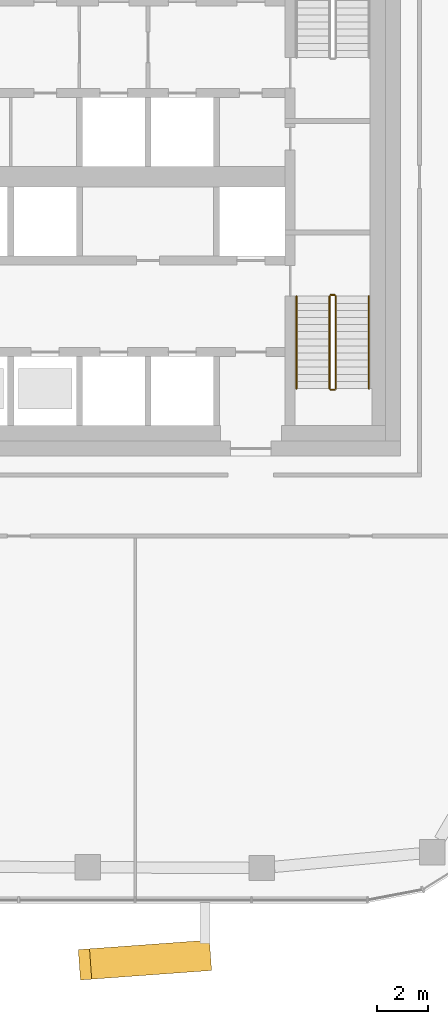
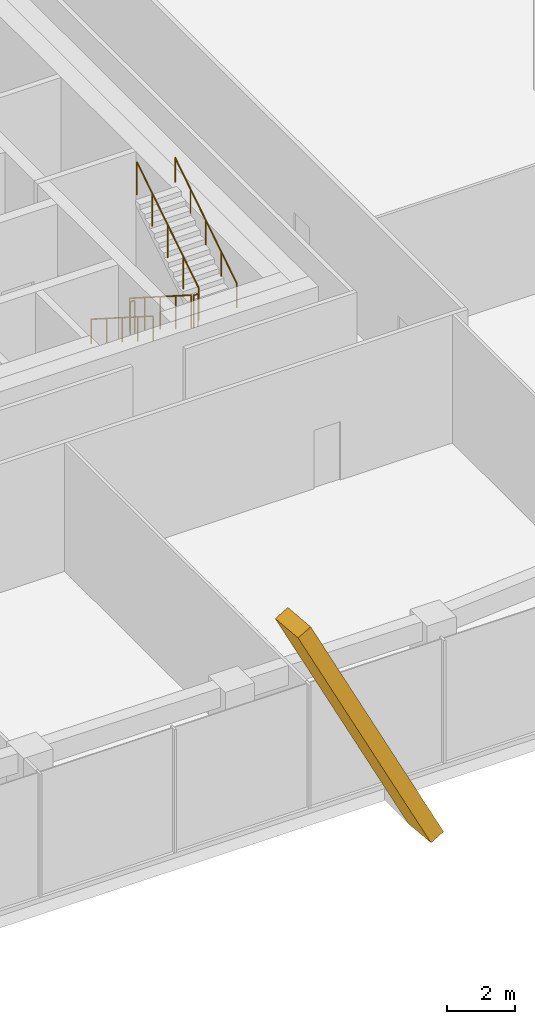
# One storey, part 15 of 20: 6 railings, 1 covering, 1 element without a shape of its own.
"""IFC4 building model written with IfcOpenShell, lengths in metres."""

from ifc_helpers import new_model, si_unit, direction, frame, origin, origin_2d, place, context, subcontext, project, spatial, rectangle, circle, extrude, material, layer, layer_set, material_profile, profile_set, type_object, element, aggregate, save


model = new_model("IFC4")

# Units and contexts
model_context = context("Model", 3, precision=1e-05, world=origin(), true_north=direction((0.0, 1.0)))
body_context = subcontext(model_context, "Body", "Model", "MODEL_VIEW")
ifc_project = project(units=[si_unit("LENGTHUNIT", "METRE"), si_unit("AREAUNIT", "SQUARE_METRE"), si_unit("VOLUMEUNIT", "CUBIC_METRE"), si_unit("PLANEANGLEUNIT", "RADIAN"), si_unit("MASSUNIT", "GRAM", prefix="KILO")], contexts=[model_context])

# Site, building, storey
site_placement = place(None, origin())
site = spatial("IfcSite", under=ifc_project, at=site_placement, CompositionType="ELEMENT")
building_placement = place(site_placement, origin())
building = spatial("IfcBuilding", under=site, at=building_placement, Name="Dongbaek Canopy Tower", CompositionType="ELEMENT")
storey_placement = place(building_placement, frame((0.0, 0.0, 289.199951171875)))
storey = spatial("IfcBuildingStorey", under=building, at=storey_placement, Name="L61", CompositionType="ELEMENT", Elevation=289.199951171875)

# Curtain wall, covering
ifc_material_1 = material(Name="Aluminium 6063-T6 pale anodised", Category="aluminium")
ifc_layer = layer(ifc_material_1, 0.25)
ifc_layer_set = layer_set([ifc_layer], Name="CW-4 sky-lobby curtain wall")
curtain_wall_type = type_object("IfcCurtainWallType", Name="CW-4 sky-lobby curtain wall", PredefinedType="NOTDEFINED", material=ifc_layer_set)
curtain_wall_placement = place(storey_placement, origin())
curtain_wall = element("IfcCurtainWall", 1, at=curtain_wall_placement, inside=storey, type_object=curtain_wall_type, Name="CW-4 curtain wall F4.1", PredefinedType="NOTDEFINED")
ifc_material_2 = material(Name="Aluminium 6063-T6 pale metal fin", Category="aluminium")
ifc_material_profile = material_profile(ifc_material_2, rectangle(XDim=1.199951171875, YDim=0.5, at=origin_2d()), Name="Crease fin CF1 500 x 1200 pale metal")
ifc_profile_set = profile_set([ifc_material_profile], Name="Aluminium 6063-T6 pale metal fin")
covering_type = type_object("IfcCoveringType", Name="Crease fin CF1 500 x 1200 pale metal", PredefinedType="CLADDING", material=ifc_profile_set)
covering_placement = place(storey_placement, frame((6.29052734375, -30.680908203125, -0.224853515625), z_axis=(-0.455099831362, -0.033028024565, 0.889827676063), x_axis=(0.072382777052, -0.997376926536, 0.0)))
covering = element("IfcCovering", 2, at=covering_placement, type_object=covering_type, Name="Crease fin L61 L63 F4", PredefinedType="CLADDING", context=body_context, shape_type="SweptSolid", body=[
    extrude(rectangle(XDim=1.199951171875, YDim=0.5, at=origin_2d()), origin(), (0.0, 0.0, 1.0), 10.378173828125),
])
aggregate(curtain_wall, [covering])

# Railings
ifc_material_3 = material(Name="Stainless steel tube and balusters", Category="steel")
railing_type_1 = type_object("IfcRailingType", Name="Stair guard 1200", PredefinedType="GUARDRAIL", material=ifc_material_3)
railing_1_placement = place(storey_placement, frame((11.199951171875, -4.699951171875, 0.1787109375)))
element("IfcRailing", 3, at=railing_1_placement, inside=storey, type_object=railing_type_1, Name="L61 ST-B stair guard 1", PredefinedType="GUARDRAIL", context=body_context, shape_type="SweptSolid", body=[
    extrude(circle(Radius=0.02392578125, at=origin_2d()), frame((0.0, 0.0, 1.17578125), z_axis=(0.0, -0.843153495434, 0.537672933239), x_axis=(1.0, 0.0, 0.0)), (0.0, 0.0, 1.0), 4.3173828125),
    extrude(circle(Radius=0.02099609375, at=origin_2d()), origin(), (0.0, 0.0, 1.0), 1.15185546875),
    extrude(circle(Radius=0.02099609375, at=origin_2d()), frame((0.0, -0.91015625, 0.580322265625)), (0.0, 0.0, 1.0), 1.15185546875),
    extrude(circle(Radius=0.02099609375, at=origin_2d()), frame((0.0, -1.820068359375, 1.16064453125)), (0.0, 0.0, 1.0), 1.15185546875),
    extrude(circle(Radius=0.02099609375, at=origin_2d()), frame((0.0, -2.72998046875, 1.740966796875)), (0.0, 0.0, 1.0), 1.15185546875),
    extrude(circle(Radius=0.02099609375, at=origin_2d()), frame((0.0, -3.64013671875, 2.3212890625)), (0.0, 0.0, 1.0), 1.15185546875),
])
railing_2_placement = place(storey_placement, frame((11.25, -8.389892578125, 2.5)))
element("IfcRailing", 4, at=railing_2_placement, inside=storey, type_object=railing_type_1, Name="L61 ST-B stair guard 2", PredefinedType="GUARDRAIL", context=body_context, shape_type="SweptSolid", body=[
    extrude(circle(Radius=0.02392578125, at=origin_2d()), frame((0.0, 0.0, 1.17578125), z_axis=(1.0, 0.0, 0.0), x_axis=(0.0, 1.0, 0.0)), (0.0, 0.0, 1.0), 0.14990234375),
    extrude(circle(Radius=0.02099609375, at=origin_2d()), origin(), (0.0, 0.0, 1.0), 1.15185546875),
    extrude(circle(Radius=0.02099609375, at=origin_2d()), frame((0.14990234375, 0.0, 0.0)), (0.0, 0.0, 1.0), 1.15185546875),
])
railing_3_placement = place(storey_placement, frame((11.449951171875, -8.340087890625, 2.6787109375)))
element("IfcRailing", 5, at=railing_3_placement, inside=storey, type_object=railing_type_1, Name="L61 ST-B stair guard 3", PredefinedType="GUARDRAIL", context=body_context, shape_type="SweptSolid", body=[
    extrude(circle(Radius=0.02392578125, at=origin_2d()), frame((0.0, 0.0, 1.17578125), z_axis=(0.0, 0.843153495434, 0.537672933239), x_axis=(-1.0, 0.0, 0.0)), (0.0, 0.0, 1.0), 4.3173828125),
    extrude(circle(Radius=0.02099609375, at=origin_2d()), origin(), (0.0, 0.0, 1.0), 1.15185546875),
    extrude(circle(Radius=0.02099609375, at=origin_2d()), frame((0.0, 0.91015625, 0.580322265625)), (0.0, 0.0, 1.0), 1.15185546875),
    extrude(circle(Radius=0.02099609375, at=origin_2d()), frame((0.0, 1.820068359375, 1.16064453125)), (0.0, 0.0, 1.0), 1.15185546875),
    extrude(circle(Radius=0.02099609375, at=origin_2d()), frame((0.0, 2.72998046875, 1.740966796875)), (0.0, 0.0, 1.0), 1.15185546875),
    extrude(circle(Radius=0.02099609375, at=origin_2d()), frame((0.0, 3.64013671875, 2.3212890625)), (0.0, 0.0, 1.0), 1.15185546875),
])
railing_4_placement = place(storey_placement, frame((11.25, -4.64990234375, 0.0)))
element("IfcRailing", 6, at=railing_4_placement, inside=storey, type_object=railing_type_1, Name="L61 ST-B stair guard 4", PredefinedType="GUARDRAIL", context=body_context, shape_type="SweptSolid", body=[
    extrude(circle(Radius=0.02392578125, at=origin_2d()), frame((0.0, 0.0, 1.17578125), z_axis=(1.0, 0.0, 0.0), x_axis=(0.0, 1.0, 0.0)), (0.0, 0.0, 1.0), 0.14990234375),
    extrude(circle(Radius=0.02099609375, at=origin_2d()), origin(), (0.0, 0.0, 1.0), 1.15185546875),
    extrude(circle(Radius=0.02099609375, at=origin_2d()), frame((0.14990234375, 0.0, 0.0)), (0.0, 0.0, 1.0), 1.15185546875),
])
ifc_material_4 = material(Name="Stainless steel tube", Category="steel")
railing_type_2 = type_object("IfcRailingType", Name="Stair handrail 900", PredefinedType="HANDRAIL", material=ifc_material_4)
railing_5_placement = place(storey_placement, frame((9.89990234375, -4.699951171875, 0.1787109375)))
element("IfcRailing", 7, at=railing_5_placement, inside=storey, type_object=railing_type_2, Name="L61 ST-B stair handrail 1", PredefinedType="HANDRAIL", context=body_context, shape_type="SweptSolid", body=[
    extrude(circle(Radius=0.02392578125, at=origin_2d()), frame((0.0, 0.0, 0.8759765625), z_axis=(0.0, -0.843153495434, 0.537672933239), x_axis=(1.0, 0.0, 0.0)), (0.0, 0.0, 1.0), 4.3173828125),
    extrude(circle(Radius=0.02099609375, at=origin_2d()), origin(), (0.0, 0.0, 1.0), 0.851806640625),
    extrude(circle(Radius=0.02099609375, at=origin_2d()), frame((0.0, -0.91015625, 0.580322265625)), (0.0, 0.0, 1.0), 0.851806640625),
    extrude(circle(Radius=0.02099609375, at=origin_2d()), frame((0.0, -1.820068359375, 1.16064453125)), (0.0, 0.0, 1.0), 0.851806640625),
    extrude(circle(Radius=0.02099609375, at=origin_2d()), frame((0.0, -2.72998046875, 1.740966796875)), (0.0, 0.0, 1.0), 0.851806640625),
    extrude(circle(Radius=0.02099609375, at=origin_2d()), frame((0.0, -3.64013671875, 2.3212890625)), (0.0, 0.0, 1.0), 0.851806640625),
])
railing_6_placement = place(storey_placement, frame((12.75, -8.340087890625, 2.6787109375)))
element("IfcRailing", 8, at=railing_6_placement, inside=storey, type_object=railing_type_2, Name="L61 ST-B stair handrail 2", PredefinedType="HANDRAIL", context=body_context, shape_type="SweptSolid", body=[
    extrude(circle(Radius=0.02392578125, at=origin_2d()), frame((0.0, 0.0, 0.8759765625), z_axis=(0.0, 0.843153495434, 0.537672933239), x_axis=(-1.0, 0.0, 0.0)), (0.0, 0.0, 1.0), 4.3173828125),
    extrude(circle(Radius=0.02099609375, at=origin_2d()), origin(), (0.0, 0.0, 1.0), 0.851806640625),
    extrude(circle(Radius=0.02099609375, at=origin_2d()), frame((0.0, 0.91015625, 0.580322265625)), (0.0, 0.0, 1.0), 0.851806640625),
    extrude(circle(Radius=0.02099609375, at=origin_2d()), frame((0.0, 1.820068359375, 1.16064453125)), (0.0, 0.0, 1.0), 0.851806640625),
    extrude(circle(Radius=0.02099609375, at=origin_2d()), frame((0.0, 2.72998046875, 1.740966796875)), (0.0, 0.0, 1.0), 0.851806640625),
    extrude(circle(Radius=0.02099609375, at=origin_2d()), frame((0.0, 3.64013671875, 2.3212890625)), (0.0, 0.0, 1.0), 0.851806640625),
])

save(model, "model.ifc")
